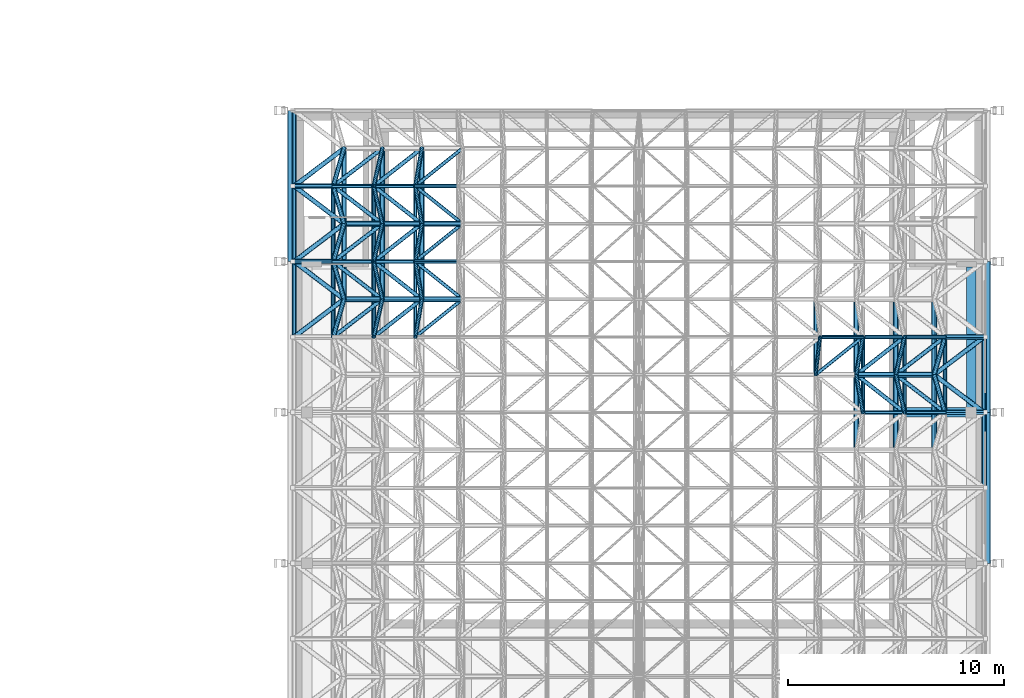
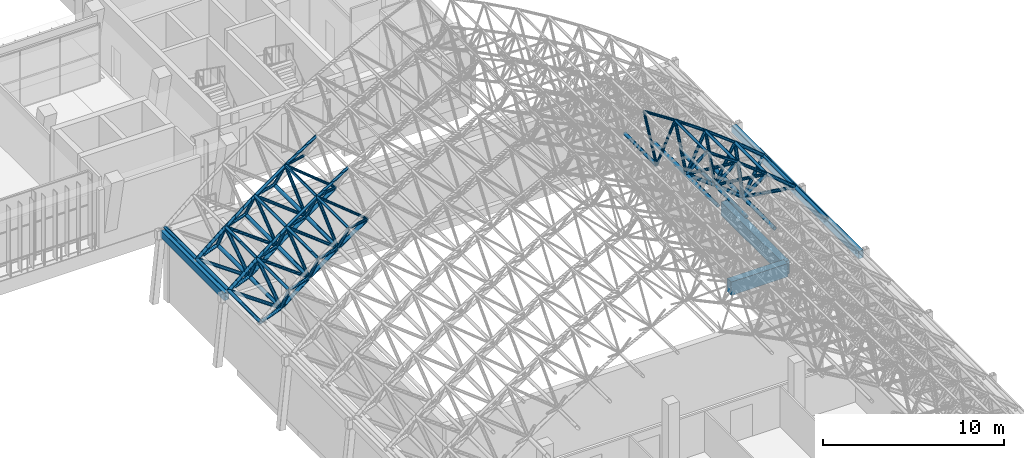
# One storey, part 50 of 141: 99 members, 5 beams.
"""IFC4 building model written with IfcOpenShell, lengths in metres."""

from ifc_helpers import new_model, si_unit, direction, frame, origin, origin_2d, place, context, subcontext, project, spatial, rectangle, hollow_rectangle, hollow_circle, extrude, material, material_profile, profile_set, type_object, element, save


model = new_model("IFC4")

# Units and contexts
model_context = context("Model", 3, precision=1e-05, world=origin(), true_north=direction((0.0, 1.0)))
body_context = subcontext(model_context, "Body", "Model", "MODEL_VIEW")
ifc_project = project(units=[si_unit("LENGTHUNIT", "METRE"), si_unit("AREAUNIT", "SQUARE_METRE"), si_unit("VOLUMEUNIT", "CUBIC_METRE"), si_unit("PLANEANGLEUNIT", "RADIAN"), si_unit("MASSUNIT", "GRAM", prefix="KILO")], contexts=[model_context])

# Site, building, storey
site_placement = place(None, origin())
site = spatial("IfcSite", under=ifc_project, at=site_placement, CompositionType="ELEMENT")
building_placement = place(site_placement, origin())
building = spatial("IfcBuilding", under=site, at=building_placement, Name="Lantern Court Media Centre", CompositionType="ELEMENT")
storey_placement = place(building_placement, frame((0.0, 0.0, 9.60009765625)))
storey = spatial("IfcBuildingStorey", under=building, at=storey_placement, Name="L02", CompositionType="ELEMENT", Elevation=9.60009765625)

# Beams
ifc_material_1 = material(Name="Concrete C35", Category="concrete")
ifc_material_profile_1 = material_profile(ifc_material_1, rectangle(XDim=0.449951171875, YDim=0.89990234375, at=origin_2d()), Name="RC 450x900")
ifc_profile_set_1 = profile_set([ifc_material_profile_1], Name="Concrete C35")
beam_type_1 = type_object("IfcBeamType", Name="RC BEAM 450x900", PredefinedType="BEAM", material=ifc_profile_set_1)
beam_1_placement = place(storey_placement, frame((99.800048828125, 26.0, -0.4501953125), z_axis=(1.0, 0.0, 0.0), x_axis=(0.0, 1.0, 0.0)))
element("IfcBeam", 1, at=beam_1_placement, inside=storey, type_object=beam_type_1, Name="HB-V2-L02-FX4-3", PredefinedType="BEAM", context=body_context, shape_type="SweptSolid", body=[
    extrude(rectangle(XDim=0.449951171875, YDim=0.89990234375, at=origin_2d()), origin(), (0.0, 0.0, 1.0), 3.599853515625),
])
beam_2_placement = place(storey_placement, frame((103.39990234375, 26.0, -0.4501953125), z_axis=(0.0, 1.0, 0.0), x_axis=(-1.0, 0.0, 0.0)))
element("IfcBeam", 2, at=beam_2_placement, inside=storey, type_object=beam_type_1, Name="HB-V2-L02-FY4-4", PredefinedType="BEAM", context=body_context, shape_type="SweptSolid", body=[
    extrude(rectangle(XDim=0.449951171875, YDim=0.89990234375, at=origin_2d()), origin(), (0.0, 0.0, 1.0), 6.75),
])

# Members
ifc_material_2 = material(Name="Steel S355J2 (EN 10025-2)", Category="steel")
ifc_material_profile_2 = material_profile(ifc_material_2, hollow_circle(Radius=0.109619140625, WallThickness=0.010009765625, at=origin_2d()), Name="Studio Hall bottom CHS 219.1x10")
ifc_profile_set_2 = profile_set([ifc_material_profile_2], Name="Steel S355J2 (EN 10025-2)")
member_type_1 = type_object("IfcMemberType", Name="Studio Hall bottom CHS 219.1x10", PredefinedType="CHORD", material=ifc_profile_set_2)
member_1_placement = place(storey_placement, frame((96.19091796875, 27.75, 7.953125), z_axis=(0.0, 1.0, 0.0), x_axis=(-1.0, 0.0, 0.0)))
element("IfcMember", 3, at=member_1_placement, inside=storey, type_object=member_type_1, Name="Studio Hall bottom chord 13-09", PredefinedType="CHORD", context=body_context, shape_type="SweptSolid", body=[
    extrude(hollow_circle(Radius=0.109619140625, WallThickness=0.010009765625, at=origin_2d()), origin(), (0.0, 0.0, 1.0), 3.5),
])
ifc_material_profile_3 = material_profile(ifc_material_2, hollow_circle(Radius=0.122314453125, WallThickness=0.012451171875, at=origin_2d()), Name="Studio Hall bottom CHS 244.5x12.5")
ifc_profile_set_3 = profile_set([ifc_material_profile_3], Name="Steel S355J2 (EN 10025-2)")
member_type_2 = type_object("IfcMemberType", Name="Studio Hall bottom CHS 244.5x12.5", PredefinedType="CHORD", material=ifc_profile_set_3)
for number, where, z_axis, x_axis, name in (
    (4, (98.076171875, 24.25, 6.66845703125), (0.0, 1.0, 0.0), (-1.0, 0.0, 0.0), "Studio Hall bottom chord 14-08"),
    (5, (98.076171875, 27.75, 6.66845703125), (0.0, 1.0, 0.0), (-1.0, 0.0, 0.0), "Studio Hall bottom chord 14-09"),
    (6, (77.923828125, 31.25, 6.66845703125), (0.0, 1.0, 0.0), (-1.0, 0.0, 0.0), "Studio Hall bottom chord 03-10"),
    (7, (77.923828125, 34.75, 6.66845703125), (0.0, 1.0, 0.0), (-1.0, 0.0, 0.0), "Studio Hall bottom chord 03-11"),
):
    element("IfcMember", number, at=place(storey_placement, frame(where, z_axis=z_axis, x_axis=x_axis)), inside=storey, type_object=member_type_2, Name=name, PredefinedType="CHORD", context=body_context, shape_type="SweptSolid", body=[
        extrude(hollow_circle(Radius=0.122314453125, WallThickness=0.012451171875, at=origin_2d()), origin(), (0.0, 0.0, 1.0), 3.5),
    ])
for number, where, z_axis, x_axis, name in (
    (8, (77.923828125, 31.25, 6.66845703125), (0.826376743552, 0.0, 0.563117641099), (0.0, 1.0, 0.0), "Studio Hall bottom chord 03-10 across"),
    (9, (77.923828125, 34.75, 6.66845703125), (0.826376743552, 0.0, 0.563117641099), (0.0, 1.0, 0.0), "Studio Hall bottom chord 03-11 across"),
):
    element("IfcMember", number, at=place(storey_placement, frame(where, z_axis=z_axis, x_axis=x_axis)), inside=storey, type_object=member_type_2, Name=name, PredefinedType="CHORD", context=body_context, shape_type="SweptSolid", body=[
        extrude(hollow_circle(Radius=0.122314453125, WallThickness=0.012451171875, at=origin_2d()), origin(), (0.0, 0.0, 1.0), 2.28125),
    ])
ifc_material_profile_4 = material_profile(ifc_material_2, hollow_circle(Radius=0.122314453125, WallThickness=0.01611328125, at=origin_2d()), Name="Studio Hall bottom CHS 244.5x16")
ifc_profile_set_4 = profile_set([ifc_material_profile_4], Name="Steel S355J2 (EN 10025-2)")
member_type_3 = type_object("IfcMemberType", Name="Studio Hall bottom CHS 244.5x16", PredefinedType="CHORD", material=ifc_profile_set_4)
for number, where, z_axis, x_axis, name in (
    (10, (99.909423828125, 24.25, 5.310546875), (0.0, 1.0, 0.0), (-1.0, 0.0, 0.0), "Studio Hall bottom chord 15-08"),
    (11, (99.909423828125, 27.75, 5.310546875), (0.0, 1.0, 0.0), (-1.0, 0.0, 0.0), "Studio Hall bottom chord 15-09"),
    (12, (76.090576171875, 31.25, 5.310546875), (0.0, 1.0, 0.0), (-1.0, 0.0, 0.0), "Studio Hall bottom chord 02-10"),
    (13, (76.090576171875, 34.75, 5.310546875), (0.0, 1.0, 0.0), (-1.0, 0.0, 0.0), "Studio Hall bottom chord 02-11"),
):
    element("IfcMember", number, at=place(storey_placement, frame(where, z_axis=z_axis, x_axis=x_axis)), inside=storey, type_object=member_type_3, Name=name, PredefinedType="CHORD", context=body_context, shape_type="SweptSolid", body=[
        extrude(hollow_circle(Radius=0.122314453125, WallThickness=0.01611328125, at=origin_2d()), origin(), (0.0, 0.0, 1.0), 3.5),
    ])
for number, where, z_axis, x_axis, name in (
    (14, (98.076171875, 27.75, 6.66845703125), (0.803568567589, 0.0, -0.59521219509), (0.0, 1.0, 0.0), "Studio Hall bottom chord 14-09 across"),
    (15, (76.090576171875, 31.25, 5.310546875), (0.803568567589, 0.0, 0.59521219509), (0.0, 1.0, 0.0), "Studio Hall bottom chord 02-10 across"),
    (16, (76.090576171875, 34.75, 5.310546875), (0.803568567589, 0.0, 0.59521219509), (0.0, 1.0, 0.0), "Studio Hall bottom chord 02-11 across"),
):
    element("IfcMember", number, at=place(storey_placement, frame(where, z_axis=z_axis, x_axis=x_axis)), inside=storey, type_object=member_type_3, Name=name, PredefinedType="CHORD", context=body_context, shape_type="SweptSolid", body=[
        extrude(hollow_circle(Radius=0.122314453125, WallThickness=0.01611328125, at=origin_2d()), origin(), (0.0, 0.0, 1.0), 2.281494140625),
    ])
ifc_material_profile_5 = material_profile(ifc_material_2, hollow_circle(Radius=0.122314453125, WallThickness=0.02001953125, at=origin_2d()), Name="Studio Hall bottom CHS 244.5x20")
ifc_profile_set_5 = profile_set([ifc_material_profile_5], Name="Steel S355J2 (EN 10025-2)")
member_type_4 = type_object("IfcMemberType", Name="Studio Hall bottom CHS 244.5x20", PredefinedType="CHORD", material=ifc_profile_set_5)
for number, where, z_axis, x_axis, name in (
    (17, (101.6875, 24.25, 3.881591796875), (0.0, 1.0, 0.0), (-1.0, 0.0, 0.0), "Studio Hall bottom chord 16-08"),
    (18, (101.6875, 27.75, 3.881591796875), (0.0, 1.0, 0.0), (-1.0, 0.0, 0.0), "Studio Hall bottom chord 16-09"),
    (19, (74.3125, 31.25, 3.881591796875), (0.0, 1.0, 0.0), (-1.0, 0.0, 0.0), "Studio Hall bottom chord 01-10"),
    (20, (74.3125, 34.75, 3.881591796875), (0.0, 1.0, 0.0), (-1.0, 0.0, 0.0), "Studio Hall bottom chord 01-11"),
):
    element("IfcMember", number, at=place(storey_placement, frame(where, z_axis=z_axis, x_axis=x_axis)), inside=storey, type_object=member_type_4, Name=name, PredefinedType="CHORD", context=body_context, shape_type="SweptSolid", body=[
        extrude(hollow_circle(Radius=0.122314453125, WallThickness=0.02001953125, at=origin_2d()), origin(), (0.0, 0.0, 1.0), 3.5),
    ])
for number, where, z_axis, x_axis, name in (
    (21, (99.909423828125, 27.75, 5.310546875), (0.779478138425, 0.0, -0.626429430757), (0.0, 1.0, 0.0), "Studio Hall bottom chord 15-09 across"),
    (22, (74.3125, 31.25, 3.881591796875), (0.779478138425, 0.0, 0.626429430757), (0.0, 1.0, 0.0), "Studio Hall bottom chord 01-10 across"),
    (23, (74.3125, 34.75, 3.881591796875), (0.779478138425, 0.0, 0.626429430757), (0.0, 1.0, 0.0), "Studio Hall bottom chord 01-11 across"),
):
    element("IfcMember", number, at=place(storey_placement, frame(where, z_axis=z_axis, x_axis=x_axis)), inside=storey, type_object=member_type_4, Name=name, PredefinedType="CHORD", context=body_context, shape_type="SweptSolid", body=[
        extrude(hollow_circle(Radius=0.122314453125, WallThickness=0.02001953125, at=origin_2d()), origin(), (0.0, 0.0, 1.0), 2.281005859375),
    ])
ifc_material_profile_6 = material_profile(ifc_material_2, hollow_circle(Radius=0.084228515625, WallThickness=0.008056640625, at=origin_2d()), Name="Studio Hall diagonal CHS 168.3x8")
ifc_profile_set_6 = profile_set([ifc_material_profile_6], Name="Steel S355J2 (EN 10025-2)")
member_type_5 = type_object("IfcMemberType", Name="Studio Hall diagonal CHS 168.3x8", PredefinedType="BRACE", material=ifc_profile_set_6)
for number, where, z_axis, x_axis, name in (
    (24, (96.19091796875, 27.75, 7.953125), (0.719205791884, 0.57530042587, 0.38957983638), (-0.624652537065, 0.780902815937, 0.0), "Studio Hall diagonal 13-09-3"),
    (25, (96.19091796875, 27.75, 7.953125), (0.067256187735, 0.575289204878, 0.815180308865), (-0.993235466132, 0.116117650756, 0.0), "Studio Hall diagonal 13-09-4"),
    (26, (79.80908203125, 31.25, 7.953125), (-0.719205791884, -0.57530042587, 0.38957983638), (0.624652537065, -0.780902815937, 0.0), "Studio Hall diagonal 04-10-1"),
    (27, (79.80908203125, 31.25, 7.953125), (-0.719205791884, 0.57530042587, 0.38957983638), (-0.624652537065, -0.780902815937, 0.0), "Studio Hall diagonal 04-10-4"),
    (28, (79.80908203125, 34.75, 7.953125), (-0.719205791884, -0.57530042587, 0.38957983638), (0.624652537065, -0.780902815937, 0.0), "Studio Hall diagonal 04-11-1"),
    (29, (79.80908203125, 34.75, 7.953125), (-0.719205791884, 0.57530042587, 0.38957983638), (-0.624652537065, -0.780902815937, 0.0), "Studio Hall diagonal 04-11-4"),
    (30, (79.80908203125, 38.25, 7.953125), (-0.719205791884, -0.57530042587, 0.38957983638), (0.624652537065, -0.780902815937, 0.0), "Studio Hall diagonal 04-12-1"),
):
    element("IfcMember", number, at=place(storey_placement, frame(where, z_axis=z_axis, x_axis=x_axis)), inside=storey, type_object=member_type_5, Name=name, PredefinedType="BRACE", context=body_context, shape_type="SweptSolid", body=[
        extrude(hollow_circle(Radius=0.084228515625, WallThickness=0.008056640625, at=origin_2d()), origin(), (0.0, 0.0, 1.0), 3.0419921875),
    ])
ifc_material_profile_7 = material_profile(ifc_material_2, hollow_circle(Radius=0.096923828125, WallThickness=0.010009765625, at=origin_2d()), Name="Studio Hall diagonal CHS 193.7x10")
ifc_profile_set_7 = profile_set([ifc_material_profile_7], Name="Steel S355J2 (EN 10025-2)")
member_type_6 = type_object("IfcMemberType", Name="Studio Hall diagonal CHS 193.7x10", PredefinedType="BRACE", material=ifc_profile_set_7)
for number, where, z_axis, x_axis, name in (
    (31, (99.909423828125, 27.75, 5.310546875), (0.13137534314, -0.575258680284, 0.807352444706), (0.97489985117, 0.222643841569, 0.0), "Studio Hall diagonal 15-09-1"),
    (32, (99.909423828125, 27.75, 5.310546875), (0.747676961141, -0.575284291269, 0.331703400644), (0.609809429153, 0.792548080634, 0.0), "Studio Hall diagonal 15-09-2"),
    (33, (99.909423828125, 27.75, 5.310546875), (0.747676961141, 0.575284291269, 0.331703400644), (-0.609809429153, 0.792548080634, 0.0), "Studio Hall diagonal 15-09-3"),
    (34, (99.909423828125, 27.75, 5.310546875), (0.13137534314, 0.575258680284, 0.807352444706), (-0.97489985117, 0.222643841569, 0.0), "Studio Hall diagonal 15-09-4"),
    (35, (76.090576171875, 31.25, 5.310546875), (-0.747676961141, -0.575284291269, 0.331703400644), (0.609809429153, -0.792548080634, 0.0), "Studio Hall diagonal 02-10-1"),
    (36, (76.090576171875, 31.25, 5.310546875), (-0.13137534314, -0.575258680284, 0.807352444706), (0.97489985117, -0.222643841569, 0.0), "Studio Hall diagonal 02-10-2"),
    (37, (76.090576171875, 31.25, 5.310546875), (-0.13137534314, 0.575258680284, 0.807352444706), (-0.97489985117, -0.222643841569, 0.0), "Studio Hall diagonal 02-10-3"),
    (38, (76.090576171875, 31.25, 5.310546875), (-0.747676961141, 0.575284291269, 0.331703400644), (-0.609809429153, -0.792548080634, 0.0), "Studio Hall diagonal 02-10-4"),
    (39, (76.090576171875, 34.75, 5.310546875), (-0.747676961141, -0.575284291269, 0.331703400644), (0.609809429153, -0.792548080634, 0.0), "Studio Hall diagonal 02-11-1"),
    (40, (76.090576171875, 34.75, 5.310546875), (-0.13137534314, -0.575258680284, 0.807352444706), (0.97489985117, -0.222643841569, 0.0), "Studio Hall diagonal 02-11-2"),
    (41, (76.090576171875, 34.75, 5.310546875), (-0.13137534314, 0.575258680284, 0.807352444706), (-0.97489985117, -0.222643841569, 0.0), "Studio Hall diagonal 02-11-3"),
    (42, (76.090576171875, 34.75, 5.310546875), (-0.747676961141, 0.575284291269, 0.331703400644), (-0.609809429153, -0.792548080634, 0.0), "Studio Hall diagonal 02-11-4"),
    (43, (76.090576171875, 38.25, 5.310546875), (-0.747676961141, -0.575284291269, 0.331703400644), (0.609809429153, -0.792548080634, 0.0), "Studio Hall diagonal 02-12-1"),
    (44, (76.090576171875, 38.25, 5.310546875), (-0.13137534314, -0.575258680284, 0.807352444706), (0.97489985117, -0.222643841569, 0.0), "Studio Hall diagonal 02-12-2"),
):
    element("IfcMember", number, at=place(storey_placement, frame(where, z_axis=z_axis, x_axis=x_axis)), inside=storey, type_object=member_type_6, Name=name, PredefinedType="BRACE", context=body_context, shape_type="SweptSolid", body=[
        extrude(hollow_circle(Radius=0.096923828125, WallThickness=0.010009765625, at=origin_2d()), origin(), (0.0, 0.0, 1.0), 3.0419921875),
    ])
ifc_material_profile_8 = material_profile(ifc_material_2, hollow_circle(Radius=0.096923828125, WallThickness=0.008056640625, at=origin_2d()), Name="Studio Hall diagonal CHS 193.7x8")
ifc_profile_set_8 = profile_set([ifc_material_profile_8], Name="Steel S355J2 (EN 10025-2)")
member_type_7 = type_object("IfcMemberType", Name="Studio Hall diagonal CHS 193.7x8", PredefinedType="BRACE", material=ifc_profile_set_8)
for number, where, z_axis, x_axis, name in (
    (45, (98.076171875, 27.75, 6.66845703125), (0.099439098635, -0.575286084759, 0.811885328323), (0.985387799185, 0.170325820758, 0.0), "Studio Hall diagonal 14-09-1"),
    (46, (98.076171875, 27.75, 6.66845703125), (0.734005385991, -0.57526247614, 0.360983624118), (0.616855729008, 0.787076241282, 0.0), "Studio Hall diagonal 14-09-2"),
    (47, (98.076171875, 27.75, 6.66845703125), (0.734005385991, 0.57526247614, 0.360983624118), (-0.616855729008, 0.787076241282, 0.0), "Studio Hall diagonal 14-09-3"),
    (48, (98.076171875, 27.75, 6.66845703125), (0.099439098635, 0.575286084759, 0.811885328323), (-0.985387799185, 0.170325820758, 0.0), "Studio Hall diagonal 14-09-4"),
    (49, (77.923828125, 31.25, 6.66845703125), (-0.734005385991, -0.57526247614, 0.360983624118), (0.616855729008, -0.787076241282, 0.0), "Studio Hall diagonal 03-10-1"),
    (50, (77.923828125, 31.25, 6.66845703125), (-0.099439098635, -0.575286084759, 0.811885328323), (0.985387799185, -0.170325820758, 0.0), "Studio Hall diagonal 03-10-2"),
    (51, (77.923828125, 31.25, 6.66845703125), (-0.099439098635, 0.575286084759, 0.811885328323), (-0.985387799185, -0.170325820758, 0.0), "Studio Hall diagonal 03-10-3"),
    (52, (77.923828125, 31.25, 6.66845703125), (-0.734005385991, 0.57526247614, 0.360983624118), (-0.616855729008, -0.787076241282, 0.0), "Studio Hall diagonal 03-10-4"),
    (53, (77.923828125, 34.75, 6.66845703125), (-0.734005385991, -0.57526247614, 0.360983624118), (0.616855729008, -0.787076241282, 0.0), "Studio Hall diagonal 03-11-1"),
    (54, (77.923828125, 34.75, 6.66845703125), (-0.099439098635, -0.575286084759, 0.811885328323), (0.985387799185, -0.170325820758, 0.0), "Studio Hall diagonal 03-11-2"),
    (55, (77.923828125, 34.75, 6.66845703125), (-0.099439098635, 0.575286084759, 0.811885328323), (-0.985387799185, -0.170325820758, 0.0), "Studio Hall diagonal 03-11-3"),
    (56, (77.923828125, 34.75, 6.66845703125), (-0.734005385991, 0.57526247614, 0.360983624118), (-0.616855729008, -0.787076241282, 0.0), "Studio Hall diagonal 03-11-4"),
    (57, (77.923828125, 38.25, 6.66845703125), (-0.734005385991, -0.57526247614, 0.360983624118), (0.616855729008, -0.787076241282, 0.0), "Studio Hall diagonal 03-12-1"),
    (58, (77.923828125, 38.25, 6.66845703125), (-0.099439098635, -0.575286084759, 0.811885328323), (0.985387799185, -0.170325820758, 0.0), "Studio Hall diagonal 03-12-2"),
):
    element("IfcMember", number, at=place(storey_placement, frame(where, z_axis=z_axis, x_axis=x_axis)), inside=storey, type_object=member_type_7, Name=name, PredefinedType="BRACE", context=body_context, shape_type="SweptSolid", body=[
        extrude(hollow_circle(Radius=0.096923828125, WallThickness=0.008056640625, at=origin_2d()), origin(), (0.0, 0.0, 1.0), 3.0419921875),
    ])
ifc_material_profile_9 = material_profile(ifc_material_2, hollow_circle(Radius=0.109619140625, WallThickness=0.010009765625, at=origin_2d()), Name="Studio Hall diagonal CHS 219.1x10")
ifc_profile_set_9 = profile_set([ifc_material_profile_9], Name="Steel S355J2 (EN 10025-2)")
member_type_8 = type_object("IfcMemberType", Name="Studio Hall diagonal CHS 219.1x10", PredefinedType="BRACE", material=ifc_profile_set_9)
member_2_placement = place(storey_placement, frame((101.6875, 27.75, 3.881591796875), z_axis=(0.163171626005, -0.575314419679, 0.801491321835), x_axis=(0.962053941871, 0.2728593281, 0.0)))
element("IfcMember", 59, at=member_2_placement, inside=storey, type_object=member_type_8, Name="Studio Hall diagonal 16-09-1", PredefinedType="BRACE", context=body_context, shape_type="SweptSolid", body=[
    extrude(hollow_circle(Radius=0.109619140625, WallThickness=0.010009765625, at=origin_2d()), origin(), (0.0, 0.0, 1.0), 3.041748046875),
])
for number, where, z_axis, x_axis, name in (
    (60, (101.6875, 27.75, 3.881591796875), (0.760210907984, -0.575294741177, 0.301853169862), (0.603442670186, 0.797406385602, 0.0), "Studio Hall diagonal 16-09-2"),
    (61, (101.6875, 27.75, 3.881591796875), (0.760210907984, 0.575294741177, 0.301853169862), (-0.603442670186, 0.797406385602, 0.0), "Studio Hall diagonal 16-09-3"),
):
    element("IfcMember", number, at=place(storey_placement, frame(where, z_axis=z_axis, x_axis=x_axis)), inside=storey, type_object=member_type_8, Name=name, PredefinedType="BRACE", context=body_context, shape_type="SweptSolid", body=[
        extrude(hollow_circle(Radius=0.109619140625, WallThickness=0.010009765625, at=origin_2d()), origin(), (0.0, 0.0, 1.0), 3.0419921875),
    ])
member_3_placement = place(storey_placement, frame((101.6875, 27.75, 3.881591796875), z_axis=(0.163171626005, 0.575314419679, 0.801491321835), x_axis=(-0.962053941871, 0.2728593281, 0.0)))
element("IfcMember", 62, at=member_3_placement, inside=storey, type_object=member_type_8, Name="Studio Hall diagonal 16-09-4", PredefinedType="BRACE", context=body_context, shape_type="SweptSolid", body=[
    extrude(hollow_circle(Radius=0.109619140625, WallThickness=0.010009765625, at=origin_2d()), origin(), (0.0, 0.0, 1.0), 3.041748046875),
])
member_4_placement = place(storey_placement, frame((74.3125, 31.25, 3.881591796875), z_axis=(-0.760210907984, -0.575294741177, 0.301853169862), x_axis=(0.603442670186, -0.797406385602, 0.0)))
element("IfcMember", 63, at=member_4_placement, inside=storey, type_object=member_type_8, Name="Studio Hall diagonal 01-10-1", PredefinedType="BRACE", context=body_context, shape_type="SweptSolid", body=[
    extrude(hollow_circle(Radius=0.109619140625, WallThickness=0.010009765625, at=origin_2d()), origin(), (0.0, 0.0, 1.0), 3.0419921875),
])
for number, where, z_axis, x_axis, name in (
    (64, (74.3125, 31.25, 3.881591796875), (-0.163171626005, -0.575314419679, 0.801491321835), (0.962053941871, -0.2728593281, 0.0), "Studio Hall diagonal 01-10-2"),
    (65, (74.3125, 31.25, 3.881591796875), (-0.163171626005, 0.575314419679, 0.801491321835), (-0.962053941871, -0.2728593281, 0.0), "Studio Hall diagonal 01-10-3"),
):
    element("IfcMember", number, at=place(storey_placement, frame(where, z_axis=z_axis, x_axis=x_axis)), inside=storey, type_object=member_type_8, Name=name, PredefinedType="BRACE", context=body_context, shape_type="SweptSolid", body=[
        extrude(hollow_circle(Radius=0.109619140625, WallThickness=0.010009765625, at=origin_2d()), origin(), (0.0, 0.0, 1.0), 3.041748046875),
    ])
for number, where, z_axis, x_axis, name in (
    (66, (74.3125, 31.25, 3.881591796875), (-0.760210907984, 0.575294741177, 0.301853169862), (-0.603442670186, -0.797406385602, 0.0), "Studio Hall diagonal 01-10-4"),
    (67, (74.3125, 34.75, 3.881591796875), (-0.760210907984, -0.575294741177, 0.301853169862), (0.603442670186, -0.797406385602, 0.0), "Studio Hall diagonal 01-11-1"),
):
    element("IfcMember", number, at=place(storey_placement, frame(where, z_axis=z_axis, x_axis=x_axis)), inside=storey, type_object=member_type_8, Name=name, PredefinedType="BRACE", context=body_context, shape_type="SweptSolid", body=[
        extrude(hollow_circle(Radius=0.109619140625, WallThickness=0.010009765625, at=origin_2d()), origin(), (0.0, 0.0, 1.0), 3.0419921875),
    ])
for number, where, z_axis, x_axis, name in (
    (68, (74.3125, 34.75, 3.881591796875), (-0.163171626005, -0.575314419679, 0.801491321835), (0.962053941871, -0.2728593281, 0.0), "Studio Hall diagonal 01-11-2"),
    (69, (74.3125, 34.75, 3.881591796875), (-0.163171626005, 0.575314419679, 0.801491321835), (-0.962053941871, -0.2728593281, 0.0), "Studio Hall diagonal 01-11-3"),
):
    element("IfcMember", number, at=place(storey_placement, frame(where, z_axis=z_axis, x_axis=x_axis)), inside=storey, type_object=member_type_8, Name=name, PredefinedType="BRACE", context=body_context, shape_type="SweptSolid", body=[
        extrude(hollow_circle(Radius=0.109619140625, WallThickness=0.010009765625, at=origin_2d()), origin(), (0.0, 0.0, 1.0), 3.041748046875),
    ])
for number, where, z_axis, x_axis, name in (
    (70, (74.3125, 34.75, 3.881591796875), (-0.760210907984, 0.575294741177, 0.301853169862), (-0.603442670186, -0.797406385602, 0.0), "Studio Hall diagonal 01-11-4"),
    (71, (74.3125, 38.25, 3.881591796875), (-0.760210907984, -0.575294741177, 0.301853169862), (0.603442670186, -0.797406385602, 0.0), "Studio Hall diagonal 01-12-1"),
):
    element("IfcMember", number, at=place(storey_placement, frame(where, z_axis=z_axis, x_axis=x_axis)), inside=storey, type_object=member_type_8, Name=name, PredefinedType="BRACE", context=body_context, shape_type="SweptSolid", body=[
        extrude(hollow_circle(Radius=0.109619140625, WallThickness=0.010009765625, at=origin_2d()), origin(), (0.0, 0.0, 1.0), 3.0419921875),
    ])
member_5_placement = place(storey_placement, frame((74.3125, 38.25, 3.881591796875), z_axis=(-0.163171626005, -0.575314419679, 0.801491321835), x_axis=(0.962053941871, -0.2728593281, 0.0)))
element("IfcMember", 72, at=member_5_placement, inside=storey, type_object=member_type_8, Name="Studio Hall diagonal 01-12-2", PredefinedType="BRACE", context=body_context, shape_type="SweptSolid", body=[
    extrude(hollow_circle(Radius=0.109619140625, WallThickness=0.010009765625, at=origin_2d()), origin(), (0.0, 0.0, 1.0), 3.041748046875),
])

# Beams
ifc_material_profile_10 = material_profile(ifc_material_2, hollow_rectangle(XDim=0.300048828125, YDim=0.5, WallThickness=0.01611328125, InnerFilletRadius=0.01611328125, OuterFilletRadius=0.02392578125, at=origin_2d()), Name="Studio Hall edge girder RHS 500x300x16")
ifc_profile_set_10 = profile_set([ifc_material_profile_10], Name="Steel S355J2 (EN 10025-2)")
beam_type_2 = type_object("IfcBeamType", Name="Studio Hall edge girder RHS 500x300x16", PredefinedType="BEAM", material=ifc_profile_set_10)
for number, where, z_axis, x_axis, name in (
    (73, (71.85009765625, 33.0, 4.449951171875), (0.0, 1.0, 0.0), (-1.0, 0.0, 0.0), "Studio Hall edge girder west 6"),
    (74, (104.14990234375, 19.0, 4.449951171875), (0.0, 1.0, 0.0), (-1.0, 0.0, 0.0), "Studio Hall edge girder east 4"),
    (75, (104.14990234375, 26.0, 4.449951171875), (0.0, 1.0, 0.0), (-1.0, 0.0, 0.0), "Studio Hall edge girder east 5"),
):
    element("IfcBeam", number, at=place(storey_placement, frame(where, z_axis=z_axis, x_axis=x_axis)), inside=storey, type_object=beam_type_2, Name=name, PredefinedType="BEAM", context=body_context, shape_type="SweptSolid", body=[
        extrude(hollow_rectangle(XDim=0.300048828125, YDim=0.5, WallThickness=0.01611328125, InnerFilletRadius=0.01611328125, OuterFilletRadius=0.02392578125, at=origin_2d()), origin(), (0.0, 0.0, 1.0), 7.0),
    ])

# Members
ifc_material_profile_11 = material_profile(ifc_material_2, hollow_circle(Radius=0.0888671875, WallThickness=0.010009765625, at=origin_2d()), Name="Studio Hall top CHS 177.8x10")
ifc_profile_set_11 = profile_set([ifc_material_profile_11], Name="Steel S355J2 (EN 10025-2)")
member_type_9 = type_object("IfcMemberType", Name="Studio Hall top CHS 177.8x10", PredefinedType="CHORD", material=ifc_profile_set_11)
for number, where, z_axis, x_axis, name in (
    (76, (98.378662109375, 26.0, 9.13818359375), (0.0, 1.0, 0.0), (-1.0, 0.0, 0.0), "Studio Hall top chord 14-09"),
    (77, (77.621337890625, 29.5, 9.13818359375), (0.0, 1.0, 0.0), (-1.0, 0.0, 0.0), "Studio Hall top chord 04-10"),
    (78, (77.621337890625, 33.0, 9.13818359375), (0.0, 1.0, 0.0), (-1.0, 0.0, 0.0), "Studio Hall top chord 04-11"),
):
    element("IfcMember", number, at=place(storey_placement, frame(where, z_axis=z_axis, x_axis=x_axis)), inside=storey, type_object=member_type_9, Name=name, PredefinedType="CHORD", context=body_context, shape_type="SweptSolid", body=[
        extrude(hollow_circle(Radius=0.0888671875, WallThickness=0.010009765625, at=origin_2d()), origin(), (0.0, 0.0, 1.0), 3.5),
    ])
for number, where, z_axis, x_axis, name in (
    (79, (96.3955078125, 29.5, 10.432861328125), (0.837356212506, 0.0, -0.546657638178), (0.0, 1.0, 0.0), "Studio Hall top chord 13-10 across"),
    (80, (77.621337890625, 33.0, 9.13818359375), (0.837356212506, 0.0, 0.546657638178), (0.0, 1.0, 0.0), "Studio Hall top chord 04-11 across"),
    (81, (77.621337890625, 36.5, 9.13818359375), (0.837356212506, 0.0, 0.546657638178), (0.0, 1.0, 0.0), "Studio Hall top chord 04-12 across"),
):
    element("IfcMember", number, at=place(storey_placement, frame(where, z_axis=z_axis, x_axis=x_axis)), inside=storey, type_object=member_type_9, Name=name, PredefinedType="CHORD", context=body_context, shape_type="SweptSolid", body=[
        extrude(hollow_circle(Radius=0.0888671875, WallThickness=0.010009765625, at=origin_2d()), origin(), (0.0, 0.0, 1.0), 2.368408203125),
    ])
ifc_material_profile_12 = material_profile(ifc_material_2, hollow_circle(Radius=0.096923828125, WallThickness=0.010009765625, at=origin_2d()), Name="Studio Hall top CHS 193.7x10")
ifc_profile_set_12 = profile_set([ifc_material_profile_12], Name="Steel S355J2 (EN 10025-2)")
member_type_10 = type_object("IfcMemberType", Name="Studio Hall top CHS 193.7x10", PredefinedType="CHORD", material=ifc_profile_set_12)
for number, where, z_axis, x_axis, name in (
    (82, (100.30908203125, 26.0, 7.7666015625), (0.0, 1.0, 0.0), (-1.0, 0.0, 0.0), "Studio Hall top chord 15-09"),
    (83, (75.69091796875, 29.5, 7.7666015625), (0.0, 1.0, 0.0), (-1.0, 0.0, 0.0), "Studio Hall top chord 03-10"),
    (84, (75.69091796875, 33.0, 7.7666015625), (0.0, 1.0, 0.0), (-1.0, 0.0, 0.0), "Studio Hall top chord 03-11"),
):
    element("IfcMember", number, at=place(storey_placement, frame(where, z_axis=z_axis, x_axis=x_axis)), inside=storey, type_object=member_type_10, Name=name, PredefinedType="CHORD", context=body_context, shape_type="SweptSolid", body=[
        extrude(hollow_circle(Radius=0.096923828125, WallThickness=0.010009765625, at=origin_2d()), origin(), (0.0, 0.0, 1.0), 3.5),
    ])
for number, where, z_axis, x_axis, name in (
    (85, (98.378662109375, 26.0, 9.13818359375), (0.815186813221, 0.0, -0.579198117703), (0.0, 1.0, 0.0), "Studio Hall top chord 14-09 across"),
    (86, (98.378662109375, 29.5, 9.13818359375), (0.815186813221, 0.0, -0.579198117703), (0.0, 1.0, 0.0), "Studio Hall top chord 14-10 across"),
    (87, (75.69091796875, 33.0, 7.7666015625), (0.815186813221, 0.0, 0.579198117703), (0.0, 1.0, 0.0), "Studio Hall top chord 03-11 across"),
    (88, (75.69091796875, 36.5, 7.7666015625), (0.815186813221, 0.0, 0.579198117703), (0.0, 1.0, 0.0), "Studio Hall top chord 03-12 across"),
):
    element("IfcMember", number, at=place(storey_placement, frame(where, z_axis=z_axis, x_axis=x_axis)), inside=storey, type_object=member_type_10, Name=name, PredefinedType="CHORD", context=body_context, shape_type="SweptSolid", body=[
        extrude(hollow_circle(Radius=0.096923828125, WallThickness=0.010009765625, at=origin_2d()), origin(), (0.0, 0.0, 1.0), 2.3681640625),
    ])
ifc_material_profile_13 = material_profile(ifc_material_2, hollow_circle(Radius=0.096923828125, WallThickness=0.012451171875, at=origin_2d()), Name="Studio Hall top CHS 193.7x12.5")
ifc_profile_set_13 = profile_set([ifc_material_profile_13], Name="Steel S355J2 (EN 10025-2)")
member_type_11 = type_object("IfcMemberType", Name="Studio Hall top CHS 193.7x12.5", PredefinedType="CHORD", material=ifc_profile_set_13)
for number, where, z_axis, x_axis, name in (
    (89, (102.183837890625, 26.0, 6.319580078125), (0.0, 1.0, 0.0), (-1.0, 0.0, 0.0), "Studio Hall top chord 16-09"),
    (90, (73.816162109375, 29.5, 6.319580078125), (0.0, 1.0, 0.0), (-1.0, 0.0, 0.0), "Studio Hall top chord 02-10"),
    (91, (73.816162109375, 33.0, 6.319580078125), (0.0, 1.0, 0.0), (-1.0, 0.0, 0.0), "Studio Hall top chord 02-11"),
):
    element("IfcMember", number, at=place(storey_placement, frame(where, z_axis=z_axis, x_axis=x_axis)), inside=storey, type_object=member_type_11, Name=name, PredefinedType="CHORD", context=body_context, shape_type="SweptSolid", body=[
        extrude(hollow_circle(Radius=0.096923828125, WallThickness=0.012451171875, at=origin_2d()), origin(), (0.0, 0.0, 1.0), 3.5),
    ])
for number, where, z_axis, x_axis, name in (
    (92, (100.30908203125, 26.0, 7.7666015625), (0.791622688111, 0.0, -0.611010245141), (0.0, 1.0, 0.0), "Studio Hall top chord 15-09 across"),
    (93, (100.30908203125, 29.5, 7.7666015625), (0.791622688111, 0.0, -0.611010245141), (0.0, 1.0, 0.0), "Studio Hall top chord 15-10 across"),
    (94, (73.816162109375, 33.0, 6.319580078125), (0.791622688111, 0.0, 0.611010245141), (0.0, 1.0, 0.0), "Studio Hall top chord 02-11 across"),
    (95, (73.816162109375, 36.5, 6.319580078125), (0.791622688111, 0.0, 0.611010245141), (0.0, 1.0, 0.0), "Studio Hall top chord 02-12 across"),
):
    element("IfcMember", number, at=place(storey_placement, frame(where, z_axis=z_axis, x_axis=x_axis)), inside=storey, type_object=member_type_11, Name=name, PredefinedType="CHORD", context=body_context, shape_type="SweptSolid", body=[
        extrude(hollow_circle(Radius=0.096923828125, WallThickness=0.012451171875, at=origin_2d()), origin(), (0.0, 0.0, 1.0), 2.3681640625),
    ])
ifc_material_profile_14 = material_profile(ifc_material_2, hollow_circle(Radius=0.109619140625, WallThickness=0.012451171875, at=origin_2d()), Name="Studio Hall top CHS 219.1x12.5")
ifc_profile_set_14 = profile_set([ifc_material_profile_14], Name="Steel S355J2 (EN 10025-2)")
member_type_12 = type_object("IfcMemberType", Name="Studio Hall top CHS 219.1x12.5", PredefinedType="CHORD", material=ifc_profile_set_14)
for number, where, z_axis, x_axis, name in (
    (96, (104.0, 22.5, 4.7998046875), (0.0, 1.0, 0.0), (-1.0, 0.0, 0.0), "Studio Hall top chord 17-08"),
    (97, (104.0, 26.0, 4.7998046875), (0.0, 1.0, 0.0), (-1.0, 0.0, 0.0), "Studio Hall top chord 17-09"),
    (98, (72.0, 29.5, 4.7998046875), (0.0, 1.0, 0.0), (-1.0, 0.0, 0.0), "Studio Hall top chord 01-10"),
    (99, (72.0, 33.0, 4.7998046875), (0.0, 1.0, 0.0), (-1.0, 0.0, 0.0), "Studio Hall top chord 01-11"),
    (100, (72.0, 36.5, 4.7998046875), (0.0, 1.0, 0.0), (-1.0, 0.0, 0.0), "Studio Hall top chord 01-12"),
):
    element("IfcMember", number, at=place(storey_placement, frame(where, z_axis=z_axis, x_axis=x_axis)), inside=storey, type_object=member_type_12, Name=name, PredefinedType="CHORD", context=body_context, shape_type="SweptSolid", body=[
        extrude(hollow_circle(Radius=0.109619140625, WallThickness=0.012451171875, at=origin_2d()), origin(), (0.0, 0.0, 1.0), 3.5),
    ])
for number, where, z_axis, x_axis, name in (
    (101, (102.183837890625, 26.0, 6.319580078125), (0.766909881815, 0.0, -0.641754807675), (0.0, 1.0, 0.0), "Studio Hall top chord 16-09 across"),
    (102, (102.183837890625, 29.5, 6.319580078125), (0.766909881815, 0.0, -0.641754807675), (0.0, 1.0, 0.0), "Studio Hall top chord 16-10 across"),
    (103, (72.0, 33.0, 4.7998046875), (0.766909881815, 0.0, 0.641754807675), (0.0, 1.0, 0.0), "Studio Hall top chord 01-11 across"),
    (104, (72.0, 36.5, 4.7998046875), (0.766909881815, 0.0, 0.641754807675), (0.0, 1.0, 0.0), "Studio Hall top chord 01-12 across"),
):
    element("IfcMember", number, at=place(storey_placement, frame(where, z_axis=z_axis, x_axis=x_axis)), inside=storey, type_object=member_type_12, Name=name, PredefinedType="CHORD", context=body_context, shape_type="SweptSolid", body=[
        extrude(hollow_circle(Radius=0.109619140625, WallThickness=0.012451171875, at=origin_2d()), origin(), (0.0, 0.0, 1.0), 2.3681640625),
    ])

save(model, "model.ifc")
